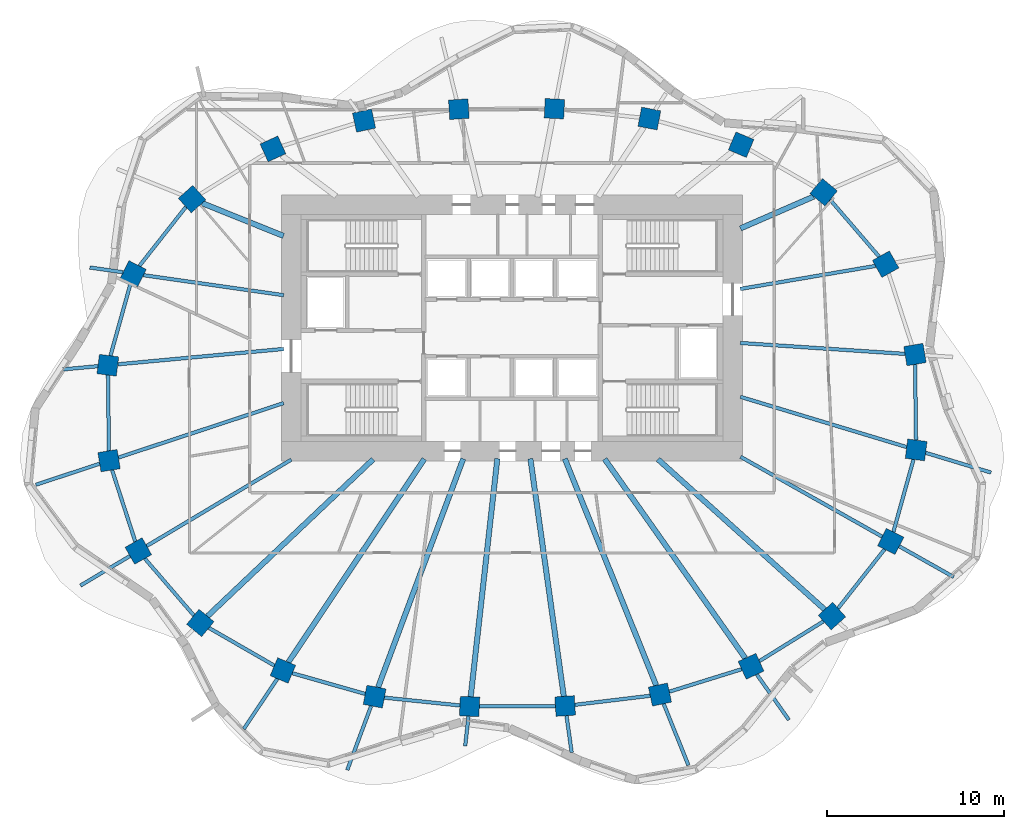
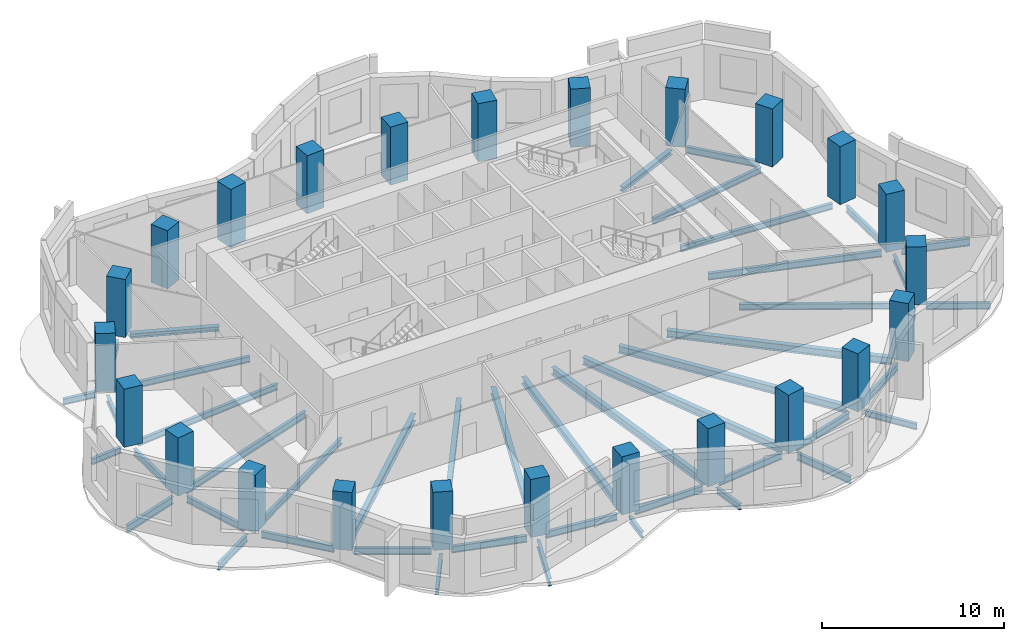
# One storey, part 1 of 9: 46 beams, 24 columns.
"""IFC4 building model written with IfcOpenShell, lengths in metres."""

from ifc_helpers import new_model, si_unit, direction, frame, origin, origin_2d, place, context, subcontext, project, spatial, rectangle, i_section, extrude, material, material_profile, profile_set, type_object, element, save


model = new_model("IFC4")

# Units and contexts
model_context = context("Model", 3, precision=1e-05, world=origin(), true_north=direction((0.0, 1.0)))
body_context = subcontext(model_context, "Body", "Model", "MODEL_VIEW")
ifc_project = project(units=[si_unit("LENGTHUNIT", "METRE"), si_unit("AREAUNIT", "SQUARE_METRE"), si_unit("VOLUMEUNIT", "CUBIC_METRE"), si_unit("PLANEANGLEUNIT", "RADIAN"), si_unit("MASSUNIT", "GRAM", prefix="KILO")], contexts=[model_context])

# Site, building, storey
site_placement = place(None, origin())
site = spatial("IfcSite", under=ifc_project, at=site_placement, CompositionType="ELEMENT")
building_placement = place(site_placement, origin())
building = spatial("IfcBuilding", under=site, at=building_placement, Name="Rubra Terraces Tower", CompositionType="ELEMENT")
storey_placement = place(building_placement, frame((0.0, 0.0, 130.5)))
storey = spatial("IfcBuildingStorey", under=building, at=storey_placement, Name="L31", CompositionType="ELEMENT", Elevation=130.5)

# Columns
ifc_material_1 = material(Name="Concrete C50", Category="concrete")
ifc_material_profile_1 = material_profile(ifc_material_1, rectangle(XDim=1.10009765625, YDim=1.10009765625, at=origin_2d()), Name="RC 1100x1100")
ifc_profile_set_1 = profile_set([ifc_material_profile_1], Name="Concrete C50")
column_type = type_object("IfcColumnType", Name="RING COLUMN RC 1100x1100 C50", PredefinedType="COLUMN", material=ifc_profile_set_1)
for number, where, z_axis, x_axis, name in (
    (1, (22.73388671875, 2.992919921875, 0.0), (0.0, 0.0, 1.0), (-0.162062155721, 0.986780551938, 0.0), "column-L31-ring-01"),
    (2, (21.0810546875, 8.090087890625, 0.0), (0.0, 0.0, 1.0), (-0.490161823029, 0.8716314515, 0.0), "column-L31-ring-02"),
    (3, (17.583984375, 12.15087890625, 0.0), (0.0, 0.0, 1.0), (-0.770679191336, 0.637223339216, 0.0), "column-L31-ring-03"),
    (4, (12.927001953125, 14.83203125, 0.0), (0.0, 0.0, 1.0), (-0.92110553102, 0.389312985558, 0.0), "column-L31-ring-04"),
    (5, (7.7509765625, 16.306884765625, 0.0), (0.0, 0.0, 1.0), (-0.981936574306, 0.189210369799, 0.0), "column-L31-ring-05"),
    (6, (2.39208984375, 16.862060546875, 0.0), (0.0, 0.0, 1.0), (-0.998791416829, 0.049149828786, 0.0), "column-L31-ring-06"),
    (7, (-2.9990234375, 16.8359375, 0.0), (0.0, 0.0, 1.0), (-0.998059443319, -0.062268351524, 0.0), "column-L31-ring-07"),
    (8, (-8.346923828125, 16.19189453125, 0.0), (0.0, 0.0, 1.0), (-0.977944102772, -0.208866780156, 0.0), "column-L31-ring-08"),
    (9, (-13.487060546875, 14.595947265625, 0.0), (0.0, 0.0, 1.0), (-0.90972649622, -0.415208022652, 0.0), "column-L31-ring-09"),
    (10, (-18.051025390625, 11.762939453125, 0.0), (0.0, 0.0, 1.0), (-0.7456420961, -0.66634665492, 0.0), "column-L31-ring-10"),
    (11, (-21.366943359375, 7.553955078125, 0.0), (0.0, 0.0, 1.0), (-0.452078869866, -0.891977968013, 0.0), "column-L31-ring-11"),
    (12, (-22.802001953125, 2.388916015625, 0.0), (0.0, 0.0, 1.0), (-0.128535191473, -0.991704948336, 0.0), "column-L31-ring-12"),
    (13, (-22.73388671875, -2.992919921875, 0.0), (0.0, 0.0, 1.0), (0.162062155721, -0.986780551938, 0.0), "column-L31-ring-13"),
    (14, (-21.0810546875, -8.090087890625, 0.0), (0.0, 0.0, 1.0), (0.490161823029, -0.8716314515, 0.0), "column-L31-ring-14"),
    (15, (-17.583984375, -12.15087890625, 0.0), (0.0, 0.0, 1.0), (0.770679191336, -0.637223339216, 0.0), "column-L31-ring-15"),
    (16, (-12.927001953125, -14.83203125, 0.0), (0.0, 0.0, 1.0), (0.92110553102, -0.389312985558, 0.0), "column-L31-ring-16"),
    (17, (-7.7509765625, -16.306884765625, 0.0), (0.0, 0.0, 1.0), (0.981936574306, -0.189210369799, 0.0), "column-L31-ring-17"),
    (18, (-2.39208984375, -16.862060546875, 0.0), (0.0, 0.0, 1.0), (0.998791416829, -0.049149828786, 0.0), "column-L31-ring-18"),
    (19, (2.9990234375, -16.8359375, 0.0), (0.0, 0.0, 1.0), (0.998059443319, 0.062268351524, 0.0), "column-L31-ring-19"),
    (20, (8.346923828125, -16.19189453125, 0.0), (0.0, 0.0, 1.0), (0.977944102772, 0.208866780156, 0.0), "column-L31-ring-20"),
    (21, (13.487060546875, -14.595947265625, 0.0), (0.0, 0.0, 1.0), (0.90972649622, 0.415208022652, 0.0), "column-L31-ring-21"),
    (22, (18.051025390625, -11.762939453125, 0.0), (0.0, 0.0, 1.0), (0.7456420961, 0.66634665492, 0.0), "column-L31-ring-22"),
    (23, (21.366943359375, -7.553955078125, 0.0), (0.0, 0.0, 1.0), (0.452078869866, 0.891977968013, 0.0), "column-L31-ring-23"),
    (24, (22.802001953125, -2.388916015625, 0.0), (0.0, 0.0, 1.0), (0.128535191473, 0.991704948336, 0.0), "column-L31-ring-24"),
):
    element("IfcColumn", number, at=place(storey_placement, frame(where, z_axis=z_axis, x_axis=x_axis)), inside=storey, type_object=column_type, Name=name, PredefinedType="COLUMN", context=body_context, shape_type="SweptSolid", body=[
        extrude(rectangle(XDim=1.10009765625, YDim=1.10009765625, at=origin_2d()), origin(), (0.0, 0.0, 1.0), 3.89990234375),
    ])

# Beams
ifc_material_2 = material(Name="Steel Q355B", Category="steel")
ifc_material_profile_2 = material_profile(ifc_material_2, i_section(OverallWidth=0.199951171875, OverallDepth=0.39990234375, WebThickness=0.008056640625, FlangeThickness=0.012939453125, at=origin_2d()), Name="HN 400x200x8x13")
ifc_profile_set_2 = profile_set([ifc_material_profile_2], Name="Steel Q355B")
beam_type_1 = type_object("IfcBeamType", Name="CANTILEVER BEAM HN 400x200x8x13", PredefinedType="BEAM", material=ifc_profile_set_2)
beam_1_placement = place(storey_placement, frame((-21.94189453125, 7.635986328125, -0.39990234375), z_axis=(-0.989957217172, 0.14136728111, 0.0), x_axis=(-0.14136728111, -0.989957217172, 0.0)))
element("IfcBeam", 25, at=beam_1_placement, inside=storey, type_object=beam_type_1, Name="beam-L31-cant-11", PredefinedType="BEAM", context=body_context, shape_type="SweptSolid", body=[
    extrude(i_section(OverallWidth=0.199951171875, OverallDepth=0.39990234375, WebThickness=0.008056640625, FlangeThickness=0.012939453125, at=origin_2d()), origin(), (0.0, 0.0, 1.0), 1.896240234375),
])
beam_2_placement = place(storey_placement, frame((-23.363037109375, 2.3369140625, -0.39990234375), z_axis=(-0.995740464774, -0.092200470777, 0.0), x_axis=(0.092200470777, -0.995740464774, 0.0)))
element("IfcBeam", 26, at=beam_2_placement, inside=storey, type_object=beam_type_1, Name="beam-L31-cant-12", PredefinedType="BEAM", context=body_context, shape_type="SweptSolid", body=[
    extrude(i_section(OverallWidth=0.199951171875, OverallDepth=0.39990234375, WebThickness=0.008056640625, FlangeThickness=0.012939453125, at=origin_2d()), origin(), (0.0, 0.0, 1.0), 1.9833984375),
])
beam_3_placement = place(storey_placement, frame((-2.452880859375, -17.409912109375, -0.39990234375), z_axis=(-0.111841087875, -0.99372610465, 0.0), x_axis=(0.99372610465, -0.111841087875, 0.0)))
element("IfcBeam", 27, at=beam_3_placement, inside=storey, type_object=beam_type_1, Name="beam-L31-cant-18", PredefinedType="BEAM", context=body_context, shape_type="SweptSolid", body=[
    extrude(i_section(OverallWidth=0.199951171875, OverallDepth=0.39990234375, WebThickness=0.008056640625, FlangeThickness=0.012939453125, at=origin_2d()), origin(), (0.0, 0.0, 1.0), 1.691650390625),
])
beam_4_placement = place(storey_placement, frame((3.075927734375, -17.382080078125, -0.39990234375), z_axis=(0.138892400729, -0.990307478019, 0.0), x_axis=(0.990307478019, 0.138892400729, 0.0)))
element("IfcBeam", 28, at=beam_4_placement, inside=storey, type_object=beam_type_1, Name="beam-L31-cant-19", PredefinedType="BEAM", context=body_context, shape_type="SweptSolid", body=[
    extrude(i_section(OverallWidth=0.199951171875, OverallDepth=0.39990234375, WebThickness=0.008056640625, FlangeThickness=0.012939453125, at=origin_2d()), origin(), (0.0, 0.0, 1.0), 2.09521484375),
])
beam_5_placement = place(storey_placement, frame((13.81005859375, -15.052978515625, -0.39990234375), z_axis=(0.576664894768, -0.816980782603, 0.0), x_axis=(0.816980782603, 0.576664894768, 0.0)))
element("IfcBeam", 29, at=beam_5_placement, inside=storey, type_object=beam_type_1, Name="beam-L31-cant-21", PredefinedType="BEAM", context=body_context, shape_type="SweptSolid", body=[
    extrude(i_section(OverallWidth=0.199951171875, OverallDepth=0.39990234375, WebThickness=0.008056640625, FlangeThickness=0.012939453125, at=origin_2d()), origin(), (0.0, 0.0, 1.0), 3.142333984375),
])
ifc_material_profile_3 = material_profile(ifc_material_2, i_section(OverallWidth=0.198974609375, OverallDepth=0.446044921875, WebThickness=0.008056640625, FlangeThickness=0.011962890625, at=origin_2d()), Name="HN 446x199x8x12")
ifc_profile_set_3 = profile_set([ifc_material_profile_3], Name="Steel Q355B")
beam_type_2 = type_object("IfcBeamType", Name="CANTILEVER BEAM HN 446x199x8x12", PredefinedType="BEAM", material=ifc_profile_set_3)
beam_6_placement = place(storey_placement, frame((-21.552978515625, -8.3720703125, -0.423095703125), z_axis=(-0.858497399832, -0.512817915523, 0.0), x_axis=(0.512817915523, -0.858497399832, 0.0)))
element("IfcBeam", 30, at=beam_6_placement, inside=storey, type_object=beam_type_2, Name="beam-L31-cant-14", PredefinedType="BEAM", context=body_context, shape_type="SweptSolid", body=[
    extrude(i_section(OverallWidth=0.198974609375, OverallDepth=0.446044921875, WebThickness=0.008056640625, FlangeThickness=0.011962890625, at=origin_2d()), origin(), (0.0, 0.0, 1.0), 3.25439453125),
])
beam_7_placement = place(storey_placement, frame((-13.238037109375, -15.298095703125, -0.423095703125), z_axis=(-0.556154412796, -0.831078978875, 0.0), x_axis=(0.831078978875, -0.556154412796, 0.0)))
element("IfcBeam", 31, at=beam_7_placement, inside=storey, type_object=beam_type_2, Name="beam-L31-cant-16", PredefinedType="BEAM", context=body_context, shape_type="SweptSolid", body=[
    extrude(i_section(OverallWidth=0.198974609375, OverallDepth=0.446044921875, WebThickness=0.008056640625, FlangeThickness=0.011962890625, at=origin_2d()), origin(), (0.0, 0.0, 1.0), 3.407470703125),
])
beam_8_placement = place(storey_placement, frame((21.846923828125, -7.824951171875, -0.423095703125), z_axis=(0.870998946477, -0.491284881953, 0.0), x_axis=(0.491284881953, 0.870998946477, 0.0)))
element("IfcBeam", 32, at=beam_8_placement, inside=storey, type_object=beam_type_2, Name="beam-L31-cant-23", PredefinedType="BEAM", context=body_context, shape_type="SweptSolid", body=[
    extrude(i_section(OverallWidth=0.198974609375, OverallDepth=0.446044921875, WebThickness=0.008056640625, FlangeThickness=0.011962890625, at=origin_2d()), origin(), (0.0, 0.0, 1.0), 3.53173828125),
])
ifc_material_profile_4 = material_profile(ifc_material_2, i_section(OverallWidth=0.198974609375, OverallDepth=0.49609375, WebThickness=0.009033203125, FlangeThickness=0.013916015625, at=origin_2d()), Name="HN 496x199x9x14")
ifc_profile_set_4 = profile_set([ifc_material_profile_4], Name="Steel Q355B")
beam_type_3 = type_object("IfcBeamType", Name="CANTILEVER BEAM HN 496x199x9x14", PredefinedType="BEAM", material=ifc_profile_set_4)
beam_9_placement = place(storey_placement, frame((-23.262939453125, -3.1669921875, -0.447998046875), z_axis=(-0.9497331334, -0.313060657575, 0.0), x_axis=(0.313060657575, -0.9497331334, 0.0)))
element("IfcBeam", 33, at=beam_9_placement, inside=storey, type_object=beam_type_3, Name="beam-L31-cant-13", PredefinedType="BEAM", context=body_context, shape_type="SweptSolid", body=[
    extrude(i_section(OverallWidth=0.198974609375, OverallDepth=0.49609375, WebThickness=0.009033203125, FlangeThickness=0.013916015625, at=origin_2d()), origin(), (0.0, 0.0, 1.0), 3.794677734375),
])
beam_10_placement = place(storey_placement, frame((-7.946044921875, -16.830078125, -0.447998046875), z_axis=(-0.34900656009, -0.937120280975, 0.0), x_axis=(0.937120280975, -0.34900656009, 0.0)))
element("IfcBeam", 34, at=beam_10_placement, inside=storey, type_object=beam_type_3, Name="beam-L31-cant-17", PredefinedType="BEAM", context=body_context, shape_type="SweptSolid", body=[
    extrude(i_section(OverallWidth=0.198974609375, OverallDepth=0.49609375, WebThickness=0.009033203125, FlangeThickness=0.013916015625, at=origin_2d()), origin(), (0.0, 0.0, 1.0), 3.8564453125),
])
beam_11_placement = place(storey_placement, frame((8.555908203125, -16.7099609375, -0.447998046875), z_axis=(0.374103362082, -0.927387014401, 0.0), x_axis=(0.927387014401, 0.374103362082, 0.0)))
element("IfcBeam", 35, at=beam_11_placement, inside=storey, type_object=beam_type_3, Name="beam-L31-cant-20", PredefinedType="BEAM", context=body_context, shape_type="SweptSolid", body=[
    extrude(i_section(OverallWidth=0.198974609375, OverallDepth=0.49609375, WebThickness=0.009033203125, FlangeThickness=0.013916015625, at=origin_2d()), origin(), (0.0, 0.0, 1.0), 3.737548828125),
])
beam_12_placement = place(storey_placement, frame((23.3359375, -2.550048828125, -0.447998046875), z_axis=(0.957272539744, -0.289187283006, 0.0), x_axis=(0.289187283006, 0.957272539744, 0.0)))
element("IfcBeam", 36, at=beam_12_placement, inside=storey, type_object=beam_type_3, Name="beam-L31-cant-24", PredefinedType="BEAM", context=body_context, shape_type="SweptSolid", body=[
    extrude(i_section(OverallWidth=0.198974609375, OverallDepth=0.49609375, WebThickness=0.009033203125, FlangeThickness=0.013916015625, at=origin_2d()), origin(), (0.0, 0.0, 1.0), 3.85888671875),
])
ifc_material_profile_5 = material_profile(ifc_material_2, i_section(OverallWidth=0.300048828125, OverallDepth=0.48193359375, WebThickness=0.010986328125, FlangeThickness=0.014892578125, at=origin_2d()), Name="HM 482x300x11x15")
ifc_profile_set_5 = profile_set([ifc_material_profile_5], Name="Steel Q355B")
beam_type_4 = type_object("IfcBeamType", Name="FLOOR BEAM HM 482x300x11x15", PredefinedType="BEAM", material=ifc_profile_set_5)
beam_13_placement = place(storey_placement, frame((-17.181884765625, -11.77001953125, -0.44091796875), z_axis=(0.726100153208, 0.687588952436, 0.0), x_axis=(-0.687588952436, 0.726100153208, 0.0)))
element("IfcBeam", 37, at=beam_13_placement, inside=storey, type_object=beam_type_4, Name="beam-L31-floor-15", PredefinedType="BEAM", context=body_context, shape_type="SweptSolid", body=[
    extrude(i_section(OverallWidth=0.300048828125, OverallDepth=0.48193359375, WebThickness=0.010986328125, FlangeThickness=0.014892578125, at=origin_2d()), origin(), (0.0, 0.0, 1.0), 12.87548828125),
])
beam_14_placement = place(storey_placement, frame((-12.615966796875, -14.365966796875, -0.44091796875), z_axis=(0.555900449773, 0.831248873649, 0.0), x_axis=(-0.831248873649, 0.555900449773, 0.0)))
element("IfcBeam", 38, at=beam_14_placement, inside=storey, type_object=beam_type_4, Name="beam-L31-floor-16", PredefinedType="BEAM", context=body_context, shape_type="SweptSolid", body=[
    extrude(i_section(OverallWidth=0.300048828125, OverallDepth=0.48193359375, WebThickness=0.010986328125, FlangeThickness=0.014892578125, at=origin_2d()), origin(), (0.0, 0.0, 1.0), 13.793701171875),
])
beam_15_placement = place(storey_placement, frame((-7.555908203125, -15.783935546875, -0.44091796875), z_axis=(0.349081226263, 0.937092470075, 0.0), x_axis=(-0.937092470075, 0.349081226263, 0.0)))
element("IfcBeam", 39, at=beam_15_placement, inside=storey, type_object=beam_type_4, Name="beam-L31-floor-17", PredefinedType="BEAM", context=body_context, shape_type="SweptSolid", body=[
    extrude(i_section(OverallWidth=0.300048828125, OverallDepth=0.48193359375, WebThickness=0.010986328125, FlangeThickness=0.014892578125, at=origin_2d()), origin(), (0.0, 0.0, 1.0), 13.76171875),
])
beam_16_placement = place(storey_placement, frame((-2.3310546875, -16.31396484375, -0.44091796875), z_axis=(0.111351311584, 0.993781105379, 0.0), x_axis=(-0.993781105379, 0.111351311584, 0.0)))
element("IfcBeam", 40, at=beam_16_placement, inside=storey, type_object=beam_type_4, Name="beam-L31-floor-18", PredefinedType="BEAM", context=body_context, shape_type="SweptSolid", body=[
    extrude(i_section(OverallWidth=0.300048828125, OverallDepth=0.48193359375, WebThickness=0.010986328125, FlangeThickness=0.014892578125, at=origin_2d()), origin(), (0.0, 0.0, 1.0), 13.516845703125),
])
beam_17_placement = place(storey_placement, frame((2.922119140625, -16.2900390625, -0.44091796875), z_axis=(-0.139139078011, 0.990272849759, 0.0), x_axis=(-0.990272849759, -0.139139078011, 0.0)))
element("IfcBeam", 41, at=beam_17_placement, inside=storey, type_object=beam_type_4, Name="beam-L31-floor-19", PredefinedType="BEAM", context=body_context, shape_type="SweptSolid", body=[
    extrude(i_section(OverallWidth=0.300048828125, OverallDepth=0.48193359375, WebThickness=0.010986328125, FlangeThickness=0.014892578125, at=origin_2d()), origin(), (0.0, 0.0, 1.0), 13.54052734375),
])
beam_18_placement = place(storey_placement, frame((8.137939453125, -15.674072265625, -0.44091796875), z_axis=(-0.374072995757, 0.927399263449, 0.0), x_axis=(-0.927399263449, -0.374072995757, 0.0)))
element("IfcBeam", 42, at=beam_18_placement, inside=storey, type_object=beam_type_4, Name="beam-L31-floor-20", PredefinedType="BEAM", context=body_context, shape_type="SweptSolid", body=[
    extrude(i_section(OverallWidth=0.300048828125, OverallDepth=0.48193359375, WebThickness=0.010986328125, FlangeThickness=0.014892578125, at=origin_2d()), origin(), (0.0, 0.0, 1.0), 13.7861328125),
])
beam_19_placement = place(storey_placement, frame((13.1640625, -14.138916015625, -0.44091796875), z_axis=(-0.576885242087, 0.816825206187, 0.0), x_axis=(-0.816825206187, -0.576885242087, 0.0)))
element("IfcBeam", 43, at=beam_19_placement, inside=storey, type_object=beam_type_4, Name="beam-L31-floor-21", PredefinedType="BEAM", context=body_context, shape_type="SweptSolid", body=[
    extrude(i_section(OverallWidth=0.300048828125, OverallDepth=0.48193359375, WebThickness=0.010986328125, FlangeThickness=0.014892578125, at=origin_2d()), origin(), (0.0, 0.0, 1.0), 13.756591796875),
])
beam_20_placement = place(storey_placement, frame((17.639892578125, -11.39306640625, -0.44091796875), z_axis=(-0.742946892742, 0.669350367569, 0.0), x_axis=(-0.669350367569, -0.742946892742, 0.0)))
element("IfcBeam", 44, at=beam_20_placement, inside=storey, type_object=beam_type_4, Name="beam-L31-floor-22", PredefinedType="BEAM", context=body_context, shape_type="SweptSolid", body=[
    extrude(i_section(OverallWidth=0.300048828125, OverallDepth=0.48193359375, WebThickness=0.010986328125, FlangeThickness=0.014892578125, at=origin_2d()), origin(), (0.0, 0.0, 1.0), 12.65869140625),
])
ifc_material_profile_6 = material_profile(ifc_material_2, i_section(OverallWidth=0.199951171875, OverallDepth=0.39990234375, WebThickness=0.008056640625, FlangeThickness=0.012939453125, at=origin_2d()), Name="HN 400x200x8x13")
ifc_profile_set_6 = profile_set([ifc_material_profile_6], Name="Steel Q355B")
beam_type_5 = type_object("IfcBeamType", Name="FLOOR BEAM HN 400x200x8x13", PredefinedType="BEAM", material=ifc_profile_set_6)
beam_21_placement = place(storey_placement, frame((22.169921875, 3.030029296875, -0.39990234375), z_axis=(-0.997809110543, 0.0661587403, 0.0), x_axis=(-0.0661587403, -0.997809110543, 0.0)))
element("IfcBeam", 45, at=beam_21_placement, inside=storey, type_object=beam_type_5, Name="beam-L31-floor-01", PredefinedType="BEAM", context=body_context, shape_type="SweptSolid", body=[
    extrude(i_section(OverallWidth=0.199951171875, OverallDepth=0.39990234375, WebThickness=0.008056640625, FlangeThickness=0.012939453125, at=origin_2d()), origin(), (0.0, 0.0, 1.0), 9.310546875),
])
beam_22_placement = place(storey_placement, frame((20.5048828125, 7.991943359375, -0.39990234375), z_axis=(-0.985813612303, -0.167843742209, 0.0), x_axis=(0.167843742209, -0.985813612303, 0.0)))
element("IfcBeam", 46, at=beam_22_placement, inside=storey, type_object=beam_type_5, Name="beam-L31-floor-02", PredefinedType="BEAM", context=body_context, shape_type="SweptSolid", body=[
    extrude(i_section(OverallWidth=0.199951171875, OverallDepth=0.39990234375, WebThickness=0.008056640625, FlangeThickness=0.012939453125, at=origin_2d()), origin(), (0.0, 0.0, 1.0), 7.732421875),
])
beam_23_placement = place(storey_placement, frame((-20.7919921875, 7.471923828125, -0.39990234375), z_axis=(0.989936658262, -0.141511174924, 0.0), x_axis=(0.141511174924, 0.989936658262, 0.0)))
element("IfcBeam", 47, at=beam_23_placement, inside=storey, type_object=beam_type_5, Name="beam-L31-floor-11", PredefinedType="BEAM", context=body_context, shape_type="SweptSolid", body=[
    extrude(i_section(OverallWidth=0.199951171875, OverallDepth=0.39990234375, WebThickness=0.008056640625, FlangeThickness=0.012939453125, at=origin_2d()), origin(), (0.0, 0.0, 1.0), 7.9912109375),
])
beam_24_placement = place(storey_placement, frame((-22.240966796875, 2.44091796875, -0.39990234375), z_axis=(0.995735462061, 0.092254482791, 0.0), x_axis=(-0.092254482791, 0.995735462061, 0.0)))
element("IfcBeam", 48, at=beam_24_placement, inside=storey, type_object=beam_type_5, Name="beam-L31-floor-12", PredefinedType="BEAM", context=body_context, shape_type="SweptSolid", body=[
    extrude(i_section(OverallWidth=0.199951171875, OverallDepth=0.39990234375, WebThickness=0.008056640625, FlangeThickness=0.012939453125, at=origin_2d()), origin(), (0.0, 0.0, 1.0), 9.39990234375),
])
beam_25_placement = place(storey_placement, frame((-20.60888671875, -7.80810546875, -0.39990234375), z_axis=(0.858520950698, 0.51277848747, 0.0), x_axis=(-0.51277848747, 0.858520950698, 0.0)))
element("IfcBeam", 49, at=beam_25_placement, inside=storey, type_object=beam_type_5, Name="beam-L31-floor-14", PredefinedType="BEAM", context=body_context, shape_type="SweptSolid", body=[
    extrude(i_section(OverallWidth=0.199951171875, OverallDepth=0.39990234375, WebThickness=0.008056640625, FlangeThickness=0.012939453125, at=origin_2d()), origin(), (0.0, 0.0, 1.0), 9.49755859375),
])
beam_26_placement = place(storey_placement, frame((20.886962890625, -7.282958984375, -0.39990234375), z_axis=(-0.870988685804, 0.491303072656, 0.0), x_axis=(-0.491303072656, -0.870988685804, 0.0)))
element("IfcBeam", 50, at=beam_26_placement, inside=storey, type_object=beam_type_5, Name="beam-L31-floor-23", PredefinedType="BEAM", context=body_context, shape_type="SweptSolid", body=[
    extrude(i_section(OverallWidth=0.199951171875, OverallDepth=0.39990234375, WebThickness=0.008056640625, FlangeThickness=0.012939453125, at=origin_2d()), origin(), (0.0, 0.0, 1.0), 9.17578125),
])
ifc_material_profile_7 = material_profile(ifc_material_2, i_section(OverallWidth=0.198974609375, OverallDepth=0.446044921875, WebThickness=0.008056640625, FlangeThickness=0.011962890625, at=origin_2d()), Name="HN 446x199x8x12")
ifc_profile_set_7 = profile_set([ifc_material_profile_7], Name="Steel Q355B")
beam_type_6 = type_object("IfcBeamType", Name="FLOOR BEAM HN 446x199x8x12", PredefinedType="BEAM", material=ifc_profile_set_7)
beam_27_placement = place(storey_placement, frame((-22.205078125, -2.819091796875, -0.423095703125), z_axis=(0.949728041792, 0.313076103583, 0.0), x_axis=(-0.313076103583, 0.949728041792, 0.0)))
element("IfcBeam", 51, at=beam_27_placement, inside=storey, type_object=beam_type_6, Name="beam-L31-floor-13", PredefinedType="BEAM", context=body_context, shape_type="SweptSolid", body=[
    extrude(i_section(OverallWidth=0.198974609375, OverallDepth=0.446044921875, WebThickness=0.008056640625, FlangeThickness=0.011962890625, at=origin_2d()), origin(), (0.0, 0.0, 1.0), 9.8125),
])
beam_28_placement = place(storey_placement, frame((22.26806640625, -2.22802734375, -0.423095703125), z_axis=(-0.957261634756, 0.289223378419, 0.0), x_axis=(-0.289223378419, -0.957261634756, 0.0)))
element("IfcBeam", 52, at=beam_28_placement, inside=storey, type_object=beam_type_6, Name="beam-L31-floor-24", PredefinedType="BEAM", context=body_context, shape_type="SweptSolid", body=[
    extrude(i_section(OverallWidth=0.198974609375, OverallDepth=0.446044921875, WebThickness=0.008056640625, FlangeThickness=0.011962890625, at=origin_2d()), origin(), (0.0, 0.0, 1.0), 9.802001953125),
])
ifc_material_profile_8 = material_profile(ifc_material_2, i_section(OverallWidth=0.304931640625, OverallDepth=0.300048828125, WebThickness=0.014892578125, FlangeThickness=0.014892578125, at=origin_2d()), Name="HW 300x305x15x15")
ifc_profile_set_8 = profile_set([ifc_material_profile_8], Name="Steel Q355B")
beam_type_7 = type_object("IfcBeamType", Name="FLOOR BEAM HW 300x305x15x15", PredefinedType="BEAM", material=ifc_profile_set_8)
beam_29_placement = place(storey_placement, frame((17.01806640625, 11.905029296875, -0.35009765625), z_axis=(-0.916965704309, -0.398966035047, 0.0), x_axis=(0.398966035047, -0.916965704309, 0.0)))
element("IfcBeam", 53, at=beam_29_placement, inside=storey, type_object=beam_type_7, Name="beam-L31-floor-03", PredefinedType="BEAM", context=body_context, shape_type="SweptSolid", body=[
    extrude(i_section(OverallWidth=0.304931640625, OverallDepth=0.300048828125, WebThickness=0.014892578125, FlangeThickness=0.014892578125, at=origin_2d()), origin(), (0.0, 0.0, 1.0), 4.501953125),
])
beam_30_placement = place(storey_placement, frame((-17.48193359375, 11.533935546875, -0.35009765625), z_axis=(0.927730023822, -0.373251929533, 0.0), x_axis=(0.373251929533, 0.927730023822, 0.0)))
element("IfcBeam", 54, at=beam_30_placement, inside=storey, type_object=beam_type_7, Name="beam-L31-floor-10", PredefinedType="BEAM", context=body_context, shape_type="SweptSolid", body=[
    extrude(i_section(OverallWidth=0.304931640625, OverallDepth=0.300048828125, WebThickness=0.014892578125, FlangeThickness=0.014892578125, at=origin_2d()), origin(), (0.0, 0.0, 1.0), 4.950927734375),
])
ifc_material_profile_9 = material_profile(ifc_material_2, i_section(OverallWidth=0.198974609375, OverallDepth=0.446044921875, WebThickness=0.008056640625, FlangeThickness=0.011962890625, at=origin_2d()), Name="HN 446x199x8x12")
ifc_profile_set_9 = profile_set([ifc_material_profile_9], Name="Steel Q355B")
beam_type_8 = type_object("IfcBeamType", Name="SPANDREL BEAM HN 446x199x8x12", PredefinedType="SPANDREL", material=ifc_profile_set_9)
beam_31_placement = place(storey_placement, frame((20.715087890625, 8.514892578125, -0.423095703125), z_axis=(-0.65255344008, 0.757742705567, 0.0), x_axis=(-0.757742705567, -0.65255344008, 0.0)))
element("IfcBeam", 55, at=beam_31_placement, inside=storey, type_object=beam_type_8, Name="beam-L31-spandrel-02", PredefinedType="SPANDREL", context=body_context, shape_type="SweptSolid", body=[
    extrude(i_section(OverallWidth=0.198974609375, OverallDepth=0.446044921875, WebThickness=0.008056640625, FlangeThickness=0.011962890625, at=origin_2d()), origin(), (0.0, 0.0, 1.0), 4.240478515625),
])
beam_32_placement = place(storey_placement, frame((-18.39697265625, 11.323974609375, -0.423095703125), z_axis=(-0.618917461688, -0.785456030353, 0.0), x_axis=(0.785456030353, -0.618917461688, 0.0)))
element("IfcBeam", 56, at=beam_32_placement, inside=storey, type_object=beam_type_8, Name="beam-L31-spandrel-10", PredefinedType="SPANDREL", context=body_context, shape_type="SweptSolid", body=[
    extrude(i_section(OverallWidth=0.198974609375, OverallDepth=0.446044921875, WebThickness=0.008056640625, FlangeThickness=0.011962890625, at=origin_2d()), origin(), (0.0, 0.0, 1.0), 4.238037109375),
])
beam_33_placement = place(storey_placement, frame((-21.51708984375, 7.013916015625, -0.423095703125), z_axis=(-0.267626064819, -0.96352285361, 0.0), x_axis=(0.96352285361, -0.267626064819, 0.0)))
element("IfcBeam", 57, at=beam_33_placement, inside=storey, type_object=beam_type_8, Name="beam-L31-spandrel-11", PredefinedType="SPANDREL", context=body_context, shape_type="SweptSolid", body=[
    extrude(i_section(OverallWidth=0.198974609375, OverallDepth=0.446044921875, WebThickness=0.008056640625, FlangeThickness=0.011962890625, at=origin_2d()), origin(), (0.0, 0.0, 1.0), 4.24462890625),
])
beam_34_placement = place(storey_placement, frame((-22.794921875, 1.8330078125, -0.423095703125), z_axis=(0.012634783266, -0.99992017794, 0.0), x_axis=(0.99992017794, 0.012634783266, 0.0)))
element("IfcBeam", 58, at=beam_34_placement, inside=storey, type_object=beam_type_8, Name="beam-L31-spandrel-12", PredefinedType="SPANDREL", context=body_context, shape_type="SweptSolid", body=[
    extrude(i_section(OverallWidth=0.198974609375, OverallDepth=0.446044921875, WebThickness=0.008056640625, FlangeThickness=0.011962890625, at=origin_2d()), origin(), (0.0, 0.0, 1.0), 4.270263671875),
])
beam_35_placement = place(storey_placement, frame((-22.56201171875, -3.52197265625, -0.423095703125), z_axis=(0.308462461648, -0.951236516201, 0.0), x_axis=(0.951236516201, 0.308462461648, 0.0)))
element("IfcBeam", 59, at=beam_35_placement, inside=storey, type_object=beam_type_8, Name="beam-L31-spandrel-13", PredefinedType="SPANDREL", context=body_context, shape_type="SweptSolid", body=[
    extrude(i_section(OverallWidth=0.198974609375, OverallDepth=0.446044921875, WebThickness=0.008056640625, FlangeThickness=0.011962890625, at=origin_2d()), origin(), (0.0, 0.0, 1.0), 4.24072265625),
])
beam_36_placement = place(storey_placement, frame((-20.715087890625, -8.514892578125, -0.423095703125), z_axis=(0.65255344008, -0.757742705567, 0.0), x_axis=(0.757742705567, 0.65255344008, 0.0)))
element("IfcBeam", 60, at=beam_36_placement, inside=storey, type_object=beam_type_8, Name="beam-L31-spandrel-14", PredefinedType="SPANDREL", context=body_context, shape_type="SweptSolid", body=[
    extrude(i_section(OverallWidth=0.198974609375, OverallDepth=0.446044921875, WebThickness=0.008056640625, FlangeThickness=0.011962890625, at=origin_2d()), origin(), (0.0, 0.0, 1.0), 4.240478515625),
])
beam_37_placement = place(storey_placement, frame((-17.10009765625, -12.428955078125, -0.423095703125), z_axis=(0.866560147027, -0.49907265161, 0.0), x_axis=(0.49907265161, 0.866560147027, 0.0)))
element("IfcBeam", 61, at=beam_37_placement, inside=storey, type_object=beam_type_8, Name="beam-L31-spandrel-15", PredefinedType="SPANDREL", context=body_context, shape_type="SweptSolid", body=[
    extrude(i_section(OverallWidth=0.198974609375, OverallDepth=0.446044921875, WebThickness=0.008056640625, FlangeThickness=0.011962890625, at=origin_2d()), origin(), (0.0, 0.0, 1.0), 4.26171875),
])
beam_38_placement = place(storey_placement, frame((-12.39404296875, -14.98388671875, -0.423095703125), z_axis=(0.961693978406, -0.274125321518, 0.0), x_axis=(0.274125321518, 0.961693978406, 0.0)))
element("IfcBeam", 62, at=beam_38_placement, inside=storey, type_object=beam_type_8, Name="beam-L31-spandrel-16", PredefinedType="SPANDREL", context=body_context, shape_type="SweptSolid", body=[
    extrude(i_section(OverallWidth=0.198974609375, OverallDepth=0.446044921875, WebThickness=0.008056640625, FlangeThickness=0.011962890625, at=origin_2d()), origin(), (0.0, 0.0, 1.0), 4.27587890625),
])
beam_39_placement = place(storey_placement, frame((-7.201904296875, -16.364013671875, -0.423095703125), z_axis=(0.994691190497, -0.102904983103, 0.0), x_axis=(0.102904983103, 0.994691190497, 0.0)))
element("IfcBeam", 63, at=beam_39_placement, inside=storey, type_object=beam_type_8, Name="beam-L31-spandrel-17", PredefinedType="SPANDREL", context=body_context, shape_type="SweptSolid", body=[
    extrude(i_section(OverallWidth=0.198974609375, OverallDepth=0.446044921875, WebThickness=0.008056640625, FlangeThickness=0.011962890625, at=origin_2d()), origin(), (0.0, 0.0, 1.0), 4.28466796875),
])
beam_40_placement = place(storey_placement, frame((-1.841064453125, -16.85888671875, -0.423095703125), z_axis=(0.999989371096, 0.004610606731, 0.0), x_axis=(-0.004610606731, 0.999989371096, 0.0)))
element("IfcBeam", 64, at=beam_40_placement, inside=storey, type_object=beam_type_8, Name="beam-L31-spandrel-18", PredefinedType="SPANDREL", context=body_context, shape_type="SweptSolid", body=[
    extrude(i_section(OverallWidth=0.198974609375, OverallDepth=0.446044921875, WebThickness=0.008056640625, FlangeThickness=0.011962890625, at=origin_2d()), origin(), (0.0, 0.0, 1.0), 4.2890625),
])
beam_41_placement = place(storey_placement, frame((3.5458984375, -16.77001953125, -0.423095703125), z_axis=(0.992833084949, 0.119509269223, 0.0), x_axis=(-0.119509269223, 0.992833084949, 0.0)))
element("IfcBeam", 65, at=beam_41_placement, inside=storey, type_object=beam_type_8, Name="beam-L31-spandrel-19", PredefinedType="SPANDREL", context=body_context, shape_type="SweptSolid", body=[
    extrude(i_section(OverallWidth=0.198974609375, OverallDepth=0.446044921875, WebThickness=0.008056640625, FlangeThickness=0.011962890625, at=origin_2d()), origin(), (0.0, 0.0, 1.0), 4.283935546875),
])
beam_42_placement = place(storey_placement, frame((8.8740234375, -16.028076171875, -0.423095703125), z_axis=(0.955002801089, 0.296596780008, 0.0), x_axis=(-0.296596780008, 0.955002801089, 0.0)))
element("IfcBeam", 66, at=beam_42_placement, inside=storey, type_object=beam_type_8, Name="beam-L31-spandrel-20", PredefinedType="SPANDREL", context=body_context, shape_type="SweptSolid", body=[
    extrude(i_section(OverallWidth=0.198974609375, OverallDepth=0.446044921875, WebThickness=0.008056640625, FlangeThickness=0.011962890625, at=origin_2d()), origin(), (0.0, 0.0, 1.0), 4.275390625),
])
beam_43_placement = place(storey_placement, frame((13.9580078125, -14.303955078125, -0.423095703125), z_axis=(0.849549830498, 0.527508374816, 0.0), x_axis=(-0.527508374816, 0.849549830498, 0.0)))
element("IfcBeam", 67, at=beam_43_placement, inside=storey, type_object=beam_type_8, Name="beam-L31-spandrel-21", PredefinedType="SPANDREL", context=body_context, shape_type="SweptSolid", body=[
    extrude(i_section(OverallWidth=0.198974609375, OverallDepth=0.446044921875, WebThickness=0.008056640625, FlangeThickness=0.011962890625, at=origin_2d()), origin(), (0.0, 0.0, 1.0), 4.259765625),
])
beam_44_placement = place(storey_placement, frame((18.39697265625, -11.323974609375, -0.423095703125), z_axis=(0.618917461688, 0.785456030353, 0.0), x_axis=(-0.785456030353, 0.618917461688, 0.0)))
element("IfcBeam", 68, at=beam_44_placement, inside=storey, type_object=beam_type_8, Name="beam-L31-spandrel-22", PredefinedType="SPANDREL", context=body_context, shape_type="SweptSolid", body=[
    extrude(i_section(OverallWidth=0.198974609375, OverallDepth=0.446044921875, WebThickness=0.008056640625, FlangeThickness=0.011962890625, at=origin_2d()), origin(), (0.0, 0.0, 1.0), 4.238037109375),
])
beam_45_placement = place(storey_placement, frame((21.51708984375, -7.013916015625, -0.423095703125), z_axis=(0.267626064819, 0.96352285361, 0.0), x_axis=(-0.96352285361, 0.267626064819, 0.0)))
element("IfcBeam", 69, at=beam_45_placement, inside=storey, type_object=beam_type_8, Name="beam-L31-spandrel-23", PredefinedType="SPANDREL", context=body_context, shape_type="SweptSolid", body=[
    extrude(i_section(OverallWidth=0.198974609375, OverallDepth=0.446044921875, WebThickness=0.008056640625, FlangeThickness=0.011962890625, at=origin_2d()), origin(), (0.0, 0.0, 1.0), 4.24462890625),
])
beam_46_placement = place(storey_placement, frame((22.794921875, -1.8330078125, -0.423095703125), z_axis=(-0.012634783266, 0.99992017794, 0.0), x_axis=(-0.99992017794, -0.012634783266, 0.0)))
element("IfcBeam", 70, at=beam_46_placement, inside=storey, type_object=beam_type_8, Name="beam-L31-spandrel-24", PredefinedType="SPANDREL", context=body_context, shape_type="SweptSolid", body=[
    extrude(i_section(OverallWidth=0.198974609375, OverallDepth=0.446044921875, WebThickness=0.008056640625, FlangeThickness=0.011962890625, at=origin_2d()), origin(), (0.0, 0.0, 1.0), 4.270263671875),
])

save(model, "model.ifc")
